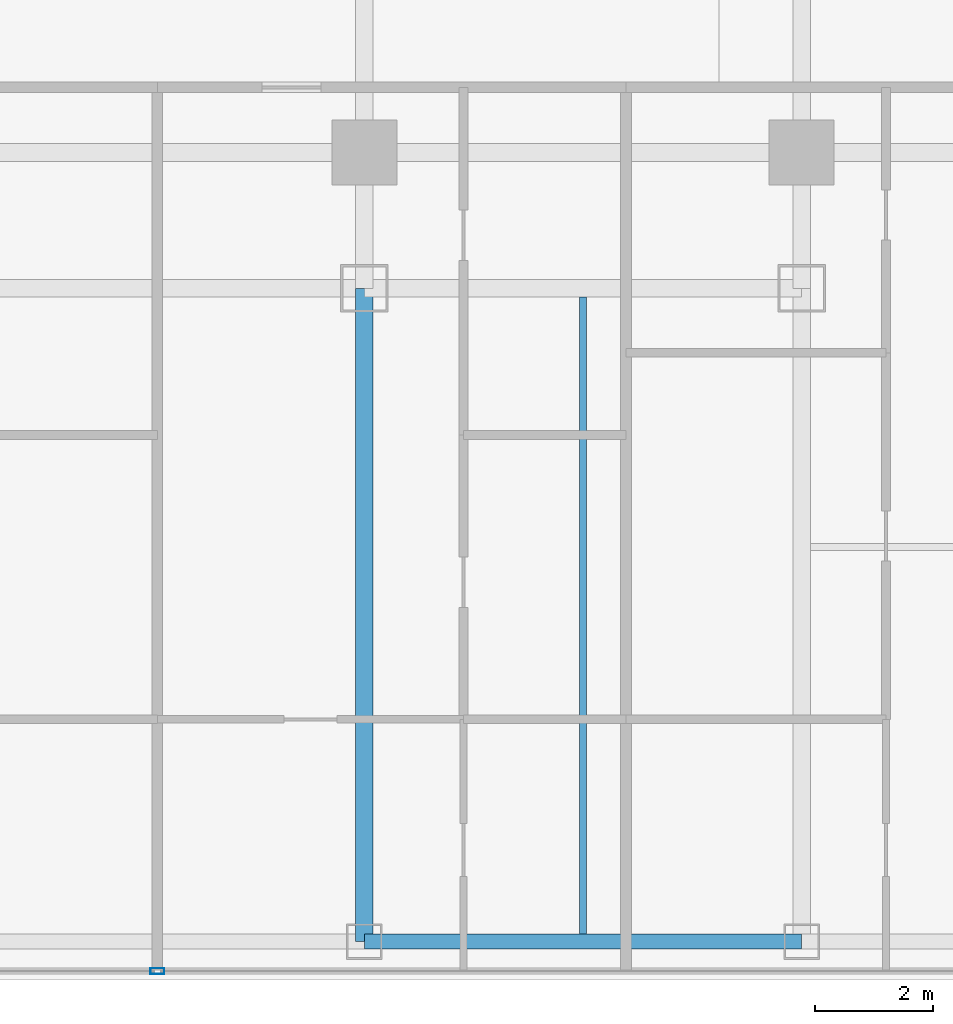
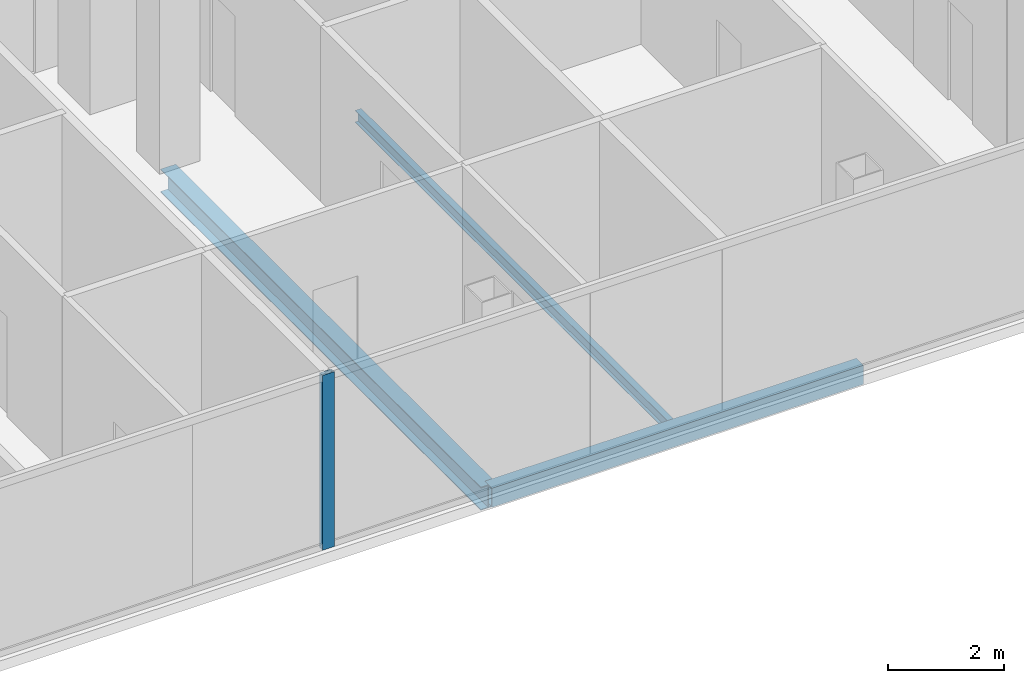
# One storey, part 4 of 26: 3 beams, 1 member, 1 element without a shape of its own.
"""IFC4 building model written with IfcOpenShell, lengths in metres."""

from ifc_helpers import new_model, si_unit, direction, frame, origin, origin_2d, place, context, subcontext, project, spatial, hollow_rectangle, i_section, extrude, material, layer, layer_set, material_profile, profile_set, type_object, element, aggregate, save


model = new_model("IFC4")

# Units and contexts
model_context = context("Model", 3, precision=1e-05, world=origin(), true_north=direction((0.0, 1.0)))
body_context = subcontext(model_context, "Body", "Model", "MODEL_VIEW")
ifc_project = project(units=[si_unit("LENGTHUNIT", "METRE"), si_unit("AREAUNIT", "SQUARE_METRE"), si_unit("VOLUMEUNIT", "CUBIC_METRE"), si_unit("PLANEANGLEUNIT", "RADIAN"), si_unit("MASSUNIT", "GRAM", prefix="KILO")], contexts=[model_context])

# Site, building, storey
site_placement = place(None, origin())
site = spatial("IfcSite", under=ifc_project, at=site_placement, CompositionType="ELEMENT")
building_placement = place(site_placement, origin())
building = spatial("IfcBuilding", under=site, at=building_placement, Name="Khorvyn Point Tower", CompositionType="ELEMENT")
storey_placement = place(building_placement, frame((0.0, 0.0, 223.5)))
storey = spatial("IfcBuildingStorey", under=building, at=storey_placement, Name="L55", CompositionType="ELEMENT", Elevation=223.5)

# Curtain wall, member
ifc_material_1 = material(Name="Anodised aluminium 6063-T6 and laminated Low-E glass", Category="aluminium")
ifc_layer = layer(ifc_material_1, 0.18994140625)
ifc_layer_set = layer_set([ifc_layer], Name="Stick-Built Acoustic Curtain Wall CW-SYS-03")
curtain_wall_type = type_object("IfcCurtainWallType", Name="Stick-Built Acoustic Curtain Wall CW-SYS-03", PredefinedType="NOTDEFINED", material=ifc_layer_set)
curtain_wall_placement = place(storey_placement, origin())
curtain_wall = element("IfcCurtainWall", 1, at=curtain_wall_placement, inside=storey, type_object=curtain_wall_type, Name="Curtain Wall", PredefinedType="NOTDEFINED")
ifc_material_2 = material(Name="Anodised aluminium 6063-T6", Category="aluminium")
ifc_material_profile_1 = material_profile(ifc_material_2, hollow_rectangle(XDim=0.10009765625, YDim=0.239990234375, WallThickness=0.0048828125, at=origin_2d()))
ifc_profile_set_1 = profile_set([ifc_material_profile_1], Name="Anodised aluminium 6063-T6 ALU-MUL-100x240")
member_type = type_object("IfcMemberType", Name="Anodised Aluminium 6063-T6 Mullion ALU-MUL-100x240", PredefinedType="MULLION", material=ifc_profile_set_1)
member_placement = place(storey_placement, frame((3.89990234375, -28.64990234375, 0.0), z_axis=(0.0, 0.0, 1.0), x_axis=(0.0, -1.0, 0.0)))
member = element("IfcMember", 2, at=member_placement, type_object=member_type, Name="Transom", PredefinedType="MULLION", context=body_context, shape_type="SweptSolid", body=[
    extrude(hollow_rectangle(XDim=0.10009765625, YDim=0.239990234375, WallThickness=0.0048828125, at=origin_2d()), origin(), (0.0, 0.0, 1.0), 3.679931640625),
])
aggregate(curtain_wall, [member])

# Beams
ifc_material_3 = material(Name="Steel S355", Category="steel")
ifc_material_profile_2 = material_profile(ifc_material_3, i_section(OverallWidth=0.125, OverallDepth=0.25, WebThickness=0.006103515625, FlangeThickness=0.009033203125, at=origin_2d()))
ifc_profile_set_2 = profile_set([ifc_material_profile_2], Name="Steel S355 H250x125x6x9")
beam_type_1 = type_object("IfcBeamType", Name="Steel S355 Joist H250x125x6x9", PredefinedType="JOIST", material=ifc_profile_set_2)
beam_1_placement = place(storey_placement, frame((11.10009765625, -28.02490234375, -0.344970703125), z_axis=(0.0, 1.0, 0.0), x_axis=(-1.0, 0.0, 0.0)))
element("IfcBeam", 3, at=beam_1_placement, inside=storey, type_object=beam_type_1, Name="Beam", PredefinedType="JOIST", context=body_context, shape_type="SweptSolid", body=[
    extrude(i_section(OverallWidth=0.125, OverallDepth=0.25, WebThickness=0.006103515625, FlangeThickness=0.009033203125, at=origin_2d()), origin(), (0.0, 0.0, 1.0), 10.77490234375),
])
ifc_material_profile_3 = material_profile(ifc_material_3, i_section(OverallWidth=0.300048828125, OverallDepth=0.488037109375, WebThickness=0.010986328125, FlangeThickness=0.01806640625, at=origin_2d()))
ifc_profile_set_3 = profile_set([ifc_material_profile_3], Name="Steel S355 H488x300x11x18")
beam_type_2 = type_object("IfcBeamType", Name="Steel S355 Spandrel H488x300x11x18", PredefinedType="SPANDREL", material=ifc_profile_set_3)
beam_2_placement = place(storey_placement, frame((7.39990234375, -28.14990234375, -0.464111328125), z_axis=(0.0, 1.0, 0.0), x_axis=(-1.0, 0.0, 0.0)))
element("IfcBeam", 4, at=beam_2_placement, inside=storey, type_object=beam_type_2, Name="Beam", PredefinedType="SPANDREL", context=body_context, shape_type="SweptSolid", body=[
    extrude(i_section(OverallWidth=0.300048828125, OverallDepth=0.488037109375, WebThickness=0.010986328125, FlangeThickness=0.01806640625, at=origin_2d()), origin(), (0.0, 0.0, 1.0), 11.0498046875),
])
ifc_material_profile_4 = material_profile(ifc_material_3, hollow_rectangle(XDim=0.25, YDim=0.39990234375, WallThickness=0.01611328125, at=origin_2d()))
ifc_profile_set_4 = profile_set([ifc_material_profile_4], Name="Steel S355 RHS400x250x16")
beam_type_3 = type_object("IfcBeamType", Name="Steel S355 Spandrel RHS400x250x16", PredefinedType="SPANDREL", material=ifc_profile_set_4)
beam_3_placement = place(storey_placement, frame((7.39990234375, -28.14990234375, -0.419921875), z_axis=(1.0, 0.0, 0.0), x_axis=(0.0, 1.0, 0.0)))
element("IfcBeam", 5, at=beam_3_placement, inside=storey, type_object=beam_type_3, Name="Beam", PredefinedType="SPANDREL", context=body_context, shape_type="SweptSolid", body=[
    extrude(hollow_rectangle(XDim=0.25, YDim=0.39990234375, WallThickness=0.01611328125, at=origin_2d()), origin(), (0.0, 0.0, 1.0), 7.400146484375),
])

save(model, "model.ifc")
